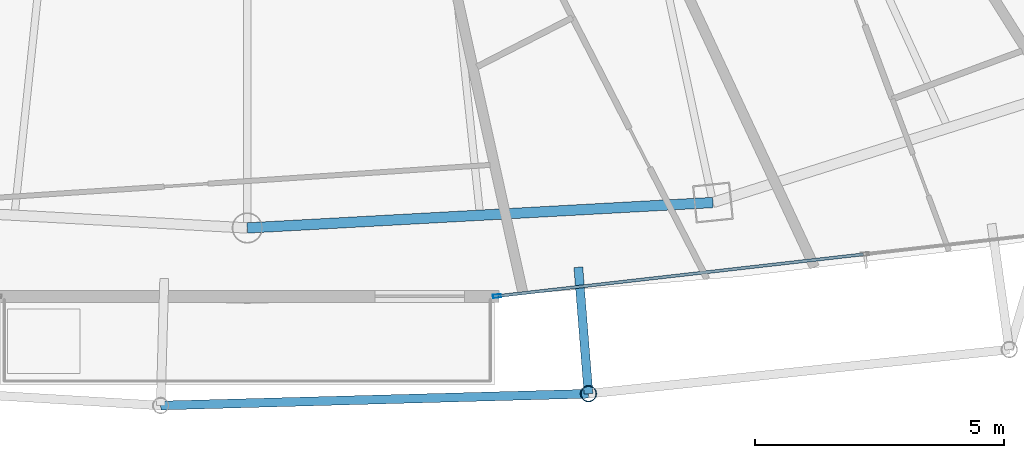
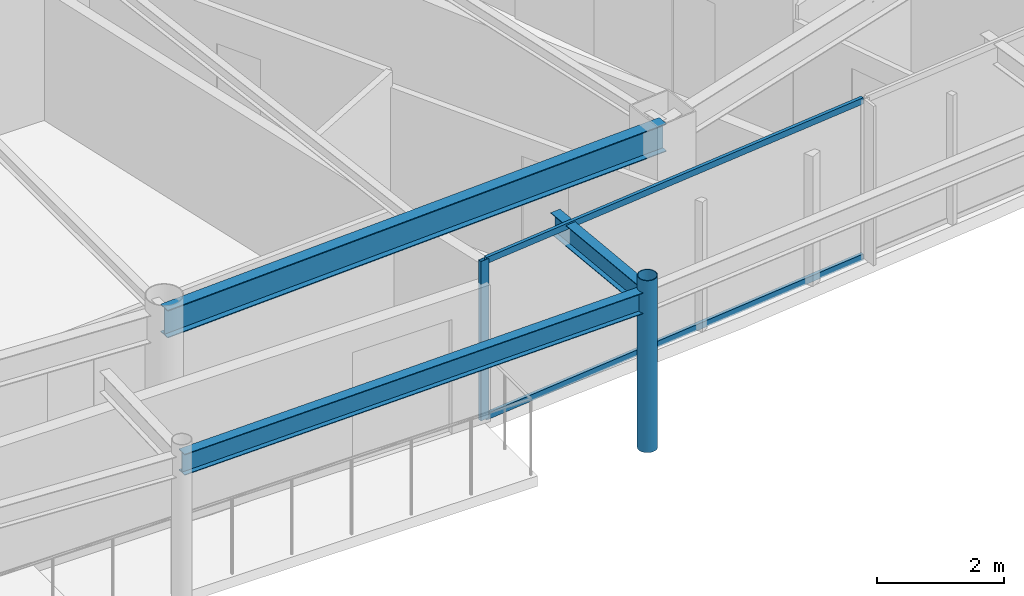
# One storey, part 8 of 29: 4 members, 3 beams, 1 element without a shape of its own.
"""IFC4 building model written with IfcOpenShell, lengths in metres."""

from ifc_helpers import new_model, si_unit, direction, frame, origin, origin_2d, place, context, subcontext, project, spatial, hollow_rectangle, hollow_circle, i_section, extrude, material, layer, layer_set, material_profile, profile_set, type_object, element, aggregate, save


model = new_model("IFC4")

# Units and contexts
model_context = context("Model", 3, precision=1e-05, world=origin(), true_north=direction((0.0, 1.0)))
body_context = subcontext(model_context, "Body", "Model", "MODEL_VIEW")
ifc_project = project(units=[si_unit("LENGTHUNIT", "METRE"), si_unit("AREAUNIT", "SQUARE_METRE"), si_unit("VOLUMEUNIT", "CUBIC_METRE"), si_unit("PLANEANGLEUNIT", "RADIAN"), si_unit("MASSUNIT", "GRAM", prefix="KILO")], contexts=[model_context])

# Site, building, storey
site_placement = place(None, origin())
site = spatial("IfcSite", under=ifc_project, at=site_placement, CompositionType="ELEMENT")
building_placement = place(site_placement, origin())
building = spatial("IfcBuilding", under=site, at=building_placement, Name="Orvanel Arch Residences", CompositionType="ELEMENT")
storey_placement = place(building_placement, frame((0.0, 0.0, 250.25)))
storey = spatial("IfcBuildingStorey", under=building, at=storey_placement, Name="L71", CompositionType="ELEMENT", Elevation=250.25)

# Curtain wall, member
ifc_material_1 = material(Name="Bronze-anodised aluminium AA6063-T6", Category="aluminium")
ifc_layer = layer(ifc_material_1, 0.175048828125)
ifc_layer_set = layer_set([ifc_layer], Name="Bronze-anodised aluminium AA6063-T6")
curtain_wall_type = type_object("IfcCurtainWallType", Name="CW4-HI-SYS", PredefinedType="NOTDEFINED", material=ifc_layer_set)
curtain_wall_placement = place(storey_placement, origin())
curtain_wall = element("IfcCurtainWall", 1, at=curtain_wall_placement, inside=storey, type_object=curtain_wall_type, Name="L71 CW4-HI-SYS Unitised Curtain Wall", PredefinedType="NOTDEFINED")
ifc_material_profile_1 = material_profile(ifc_material_1, hollow_rectangle(XDim=0.06494140625, YDim=0.159912109375, WallThickness=0.00390625, at=origin_2d()), Name="ALU160x65x4")
ifc_profile_set_1 = profile_set([ifc_material_profile_1], Name="Bronze-anodised aluminium AA6063-T6")
member_type_1 = type_object("IfcMemberType", Name="MUL-160x65", PredefinedType="MULLION", material=ifc_profile_set_1)
member_1_placement = place(storey_placement, frame((38.01318359375, 5.4755859375, 0.0), z_axis=(0.0, 0.0, 1.0), x_axis=(-0.113259630878, 0.993565426136, 0.0)))
member_1 = element("IfcMember", 2, at=member_1_placement, type_object=member_type_1, Name="CW-S4 mullion 1", PredefinedType="MULLION", context=body_context, shape_type="SweptSolid", body=[
    extrude(hollow_rectangle(XDim=0.06494140625, YDim=0.159912109375, WallThickness=0.00390625, at=origin_2d()), origin(), (0.0, 0.0, 1.0), 3.06005859375),
])

# Beams
ifc_material_2 = material(Name="Structural steel AS/NZS 3679.1 Grade 300 (300 MPa)", Category="steel")
ifc_material_profile_2 = material_profile(ifc_material_2, i_section(OverallWidth=0.177978515625, OverallDepth=0.406005859375, WebThickness=0.0078125, FlangeThickness=0.0126953125, at=origin_2d()), Name="410UB59.7")
ifc_profile_set_2 = profile_set([ifc_material_profile_2], Name="Structural steel AS/NZS 3679.1 Grade 300 (300 MPa)")
beam_type_1 = type_object("IfcBeamType", Name="OB-410UB-EXT", PredefinedType="SPANDREL", material=ifc_profile_set_2)
beam_1_placement = place(storey_placement, frame((31.260986328125, 3.278076171875, 2.85693359375), z_axis=(0.999620289848, 0.027554965505, 0.0), x_axis=(-0.027554965505, 0.999620289848, 0.0)))
element("IfcBeam", 3, at=beam_1_placement, inside=storey, type_object=beam_type_1, Name="L71 Outer Perimeter Floor Ring Beam 06", PredefinedType="SPANDREL", context=body_context, shape_type="SweptSolid", body=[
    extrude(i_section(OverallWidth=0.177978515625, OverallDepth=0.406005859375, WebThickness=0.0078125, FlangeThickness=0.0126953125, at=origin_2d()), origin(), (0.0, 0.0, 1.0), 8.59423828125),
])
beam_2_placement = place(storey_placement, frame((39.64794921875, 6.055908203125, 2.85693359375), z_axis=(0.080064964007, -0.996789647588, 0.0), x_axis=(0.996789647588, 0.080064964007, 0.0)))
element("IfcBeam", 4, at=beam_2_placement, inside=storey, type_object=beam_type_1, Name="L71 Outer Frame Radial Tie Beam 07", PredefinedType="SPANDREL", context=body_context, shape_type="SweptSolid", body=[
    extrude(i_section(OverallWidth=0.177978515625, OverallDepth=0.406005859375, WebThickness=0.0078125, FlangeThickness=0.0126953125, at=origin_2d()), origin(), (0.0, 0.0, 1.0), 2.54931640625),
])
ifc_material_profile_3 = material_profile(ifc_material_2, i_section(OverallWidth=0.208984375, OverallDepth=0.532958984375, WebThickness=0.01025390625, FlangeThickness=0.015625, at=origin_2d()), Name="530UB92.4")
ifc_profile_set_3 = profile_set([ifc_material_profile_3], Name="Structural steel AS/NZS 3679.1 Grade 300 (300 MPa)")
beam_type_2 = type_object("IfcBeamType", Name="SP-530UB", PredefinedType="SPANDREL", material=ifc_profile_set_3)
beam_3_placement = place(storey_placement, frame((33.0, 6.843994140625, 2.79296875), z_axis=(0.998510315598, 0.054563262768, 0.0), x_axis=(-0.054563262768, 0.998510315598, 0.0)))
element("IfcBeam", 5, at=beam_3_placement, inside=storey, type_object=beam_type_2, Name="L71 Perimeter Spandrel Beam 04", PredefinedType="SPANDREL", context=body_context, shape_type="SweptSolid", body=[
    extrude(i_section(OverallWidth=0.208984375, OverallDepth=0.532958984375, WebThickness=0.01025390625, FlangeThickness=0.015625, at=origin_2d()), origin(), (0.0, 0.0, 1.0), 9.364990234375),
])

# Member
ifc_material_3 = material(Name="Structural steel AS/NZS 1163 C350L0 (Grade 350)", Category="steel")
ifc_material_profile_4 = material_profile(ifc_material_3, hollow_circle(Radius=0.162109375, WallThickness=0.0126953125, at=origin_2d()), Name="CHS324x12.7")
ifc_profile_set_4 = profile_set([ifc_material_profile_4], Name="Structural steel AS/NZS 1163 C350L0 (Grade 350)")
member_type_2 = type_object("IfcMemberType", Name="ST-324CHS-EXT", PredefinedType="STRUT", material=ifc_profile_set_4)
member_2_placement = place(storey_placement, frame((39.85205078125, 3.514892578125, 0.0), z_axis=(0.0, 0.0, 1.0), x_axis=(1.0, 0.0, 0.0)))
element("IfcMember", 6, at=member_2_placement, inside=storey, type_object=member_type_2, Name="L71 Outer Perimeter Frame Post 07", PredefinedType="STRUT", context=body_context, shape_type="SweptSolid", body=[
    extrude(hollow_circle(Radius=0.162109375, WallThickness=0.0126953125, at=origin_2d()), origin(), (0.0, 0.0, 1.0), 3.300048828125),
])

ifc_material_profile_5 = material_profile(ifc_material_1, hollow_rectangle(XDim=0.06005859375, YDim=0.1201171875, WallThickness=0.00341796875, at=origin_2d()), Name="ALU120x60x3.5")
ifc_profile_set_5 = profile_set([ifc_material_profile_5], Name="Bronze-anodised aluminium AA6063-T6")
member_type_3 = type_object("IfcMemberType", Name="TRN-120x60", PredefinedType="USERDEFINED", material=ifc_profile_set_5)
member_3_placement = place(storey_placement, frame((38.045654296875, 5.479248046875, 0.030029296875), z_axis=(0.993565082656, 0.113262644001, 0.0), x_axis=(-0.113262644001, 0.993565082656, 0.0)))
member_3 = element("IfcMember", 7, at=member_3_placement, type_object=member_type_3, Name="CW-S4 transom 1.1", ObjectType="TRANSOM", PredefinedType="USERDEFINED", context=body_context, shape_type="SweptSolid", body=[
    extrude(hollow_rectangle(XDim=0.06005859375, YDim=0.1201171875, WallThickness=0.00341796875, at=origin_2d()), origin(), (0.0, 0.0, 1.0), 7.371826171875),
])

member_4_placement = place(storey_placement, frame((38.045654296875, 5.479248046875, 3.030029296875), z_axis=(0.993565082656, 0.113262644001, 0.0), x_axis=(-0.113262644001, 0.993565082656, 0.0)))
member_4 = element("IfcMember", 8, at=member_4_placement, type_object=member_type_3, Name="CW-S4 transom 1.2", ObjectType="TRANSOM", PredefinedType="USERDEFINED", context=body_context, shape_type="SweptSolid", body=[
    extrude(hollow_rectangle(XDim=0.06005859375, YDim=0.1201171875, WallThickness=0.00341796875, at=origin_2d()), origin(), (0.0, 0.0, 1.0), 7.371826171875),
])

aggregate(curtain_wall, [member_1, member_3, member_4])

save(model, "model.ifc")
